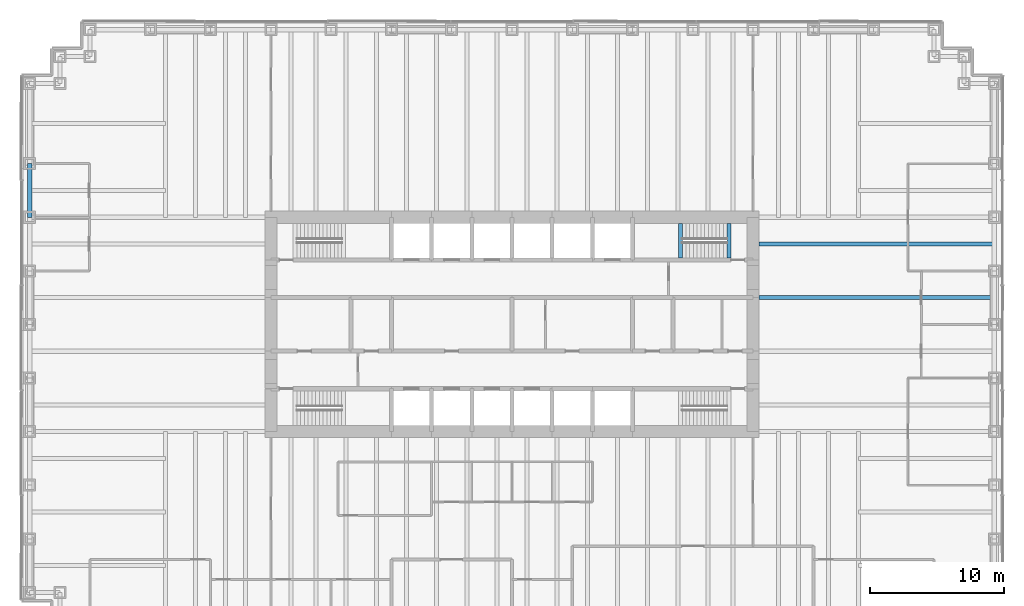
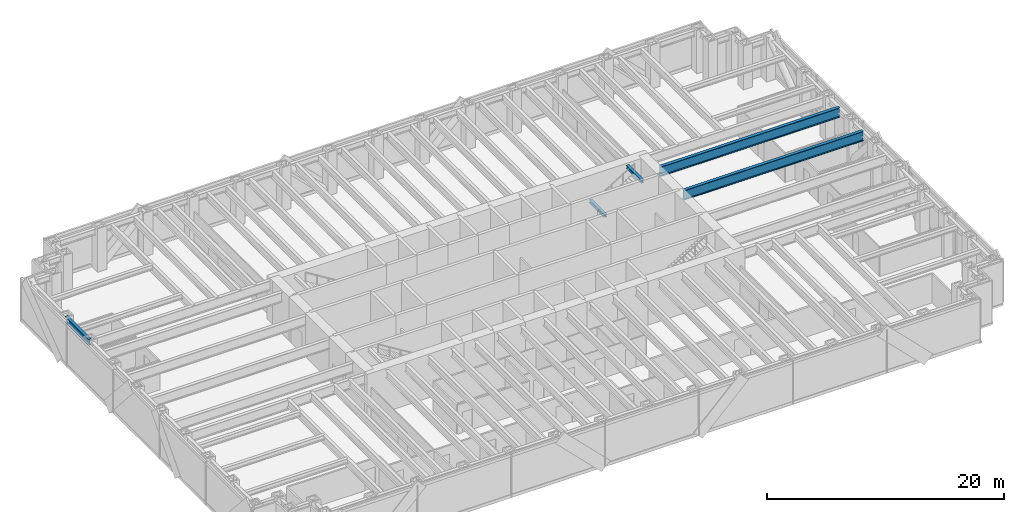
# One storey, part 4 of 13: 5 beams.
"""IFC4 building model written with IfcOpenShell, lengths in metres."""

from ifc_helpers import new_model, si_unit, direction, frame, origin, origin_2d, place, context, subcontext, project, spatial, i_section, extrude, material, material_profile, profile_set, type_object, element, save


model = new_model("IFC4")

# Units and contexts
model_context = context("Model", 3, precision=1e-05, world=origin(), true_north=direction((0.0, 1.0)))
body_context = subcontext(model_context, "Body", "Model", "MODEL_VIEW")
ifc_project = project(units=[si_unit("LENGTHUNIT", "METRE"), si_unit("AREAUNIT", "SQUARE_METRE"), si_unit("VOLUMEUNIT", "CUBIC_METRE"), si_unit("PLANEANGLEUNIT", "RADIAN"), si_unit("MASSUNIT", "GRAM", prefix="KILO")], contexts=[model_context])

# Site, building, storey
site_placement = place(None, origin())
site = spatial("IfcSite", under=ifc_project, at=site_placement, CompositionType="ELEMENT")
building_placement = place(site_placement, origin())
building = spatial("IfcBuilding", under=site, at=building_placement, Name="Rheinbord Bourse Tower", CompositionType="ELEMENT")
storey_placement = place(building_placement, frame((0.0, 0.0, 36.5)))
storey = spatial("IfcBuildingStorey", under=building, at=storey_placement, Name="L07", CompositionType="ELEMENT", Elevation=36.5)

# Beams
ifc_material_1 = material(Name="Steel S460", Category="steel")
ifc_material_profile_1 = material_profile(ifc_material_1, i_section(OverallWidth=0.302001953125, OverallDepth=1.008056640625, WebThickness=0.02099609375, FlangeThickness=0.0400390625, at=origin_2d()), Name="HEM 1000")
ifc_profile_set_1 = profile_set([ifc_material_profile_1], Name="Steel S460")
beam_type_1 = type_object("IfcBeamType", Name="END BEAM HEM 1000", PredefinedType="BEAM", material=ifc_profile_set_1)
for number, where, z_axis, x_axis, name in (
    (1, (54.449951171875, 26.0, 3.81591796875), (1.0, 0.0, 0.0), (0.0, 1.0, 0.0), "End beam east 26 L08"),
    (2, (54.449951171875, 30.0, 3.81591796875), (1.0, 0.0, 0.0), (0.0, 1.0, 0.0), "End beam east 30 L08"),
):
    element("IfcBeam", number, at=place(storey_placement, frame(where, z_axis=z_axis, x_axis=x_axis)), inside=storey, type_object=beam_type_1, Name=name, PredefinedType="BEAM", context=body_context, shape_type="SweptSolid", body=[
        extrude(i_section(OverallWidth=0.302001953125, OverallDepth=1.008056640625, WebThickness=0.02099609375, FlangeThickness=0.0400390625, at=origin_2d()), origin(), (0.0, 0.0, 1.0), 17.550048828125),
    ])
ifc_material_2 = material(Name="Steel S460", Category="steel")
ifc_material_profile_2 = material_profile(ifc_material_2, i_section(OverallWidth=0.300048828125, OverallDepth=0.300048828125, WebThickness=0.010986328125, FlangeThickness=0.01904296875, at=origin_2d()), Name="HEB 300")
ifc_profile_set_2 = profile_set([ifc_material_profile_2], Name="Steel S460")
beam_type_2 = type_object("IfcBeamType", Name="LANDING TRIMMER HEB 300", PredefinedType="BEAM", material=ifc_profile_set_2)
for number, where, z_axis, x_axis, name in (
    (3, (48.590087890625, 28.949951171875, 1.89990234375), (0.0, 1.0, 0.0), (-1.0, 0.0, 0.0), "Landing trimmer ST4 L07"),
    (4, (52.199951171875, 28.949951171875, 4.169921875), (0.0, 1.0, 0.0), (-1.0, 0.0, 0.0), "Well trimmer ST4 under L08"),
):
    element("IfcBeam", number, at=place(storey_placement, frame(where, z_axis=z_axis, x_axis=x_axis)), inside=storey, type_object=beam_type_2, Name=name, PredefinedType="BEAM", context=body_context, shape_type="SweptSolid", body=[
        extrude(i_section(OverallWidth=0.300048828125, OverallDepth=0.300048828125, WebThickness=0.010986328125, FlangeThickness=0.01904296875, at=origin_2d()), origin(), (0.0, 0.0, 1.0), 2.60009765625),
    ])
ifc_material_3 = material(Name="Steel S460", Category="steel")
ifc_material_profile_3 = material_profile(ifc_material_3, i_section(OverallWidth=0.304931640625, OverallDepth=0.6201171875, WebThickness=0.02099609375, FlangeThickness=0.0400390625, at=origin_2d()), Name="HEM 600")
ifc_profile_set_3 = profile_set([ifc_material_profile_3], Name="Steel S460")
beam_type_3 = type_object("IfcBeamType", Name="SPANDREL HEM 600", PredefinedType="SPANDREL", material=ifc_profile_set_3)
beam_placement = place(storey_placement, frame((0.0, 36.0, 4.010009765625), z_axis=(0.0, -1.0, 0.0), x_axis=(1.0, 0.0, 0.0)))
element("IfcBeam", 5, at=beam_placement, inside=storey, type_object=beam_type_3, Name="Spandrel W-36-W-32 under L08", PredefinedType="SPANDREL", context=body_context, shape_type="SweptSolid", body=[
    extrude(i_section(OverallWidth=0.304931640625, OverallDepth=0.6201171875, WebThickness=0.02099609375, FlangeThickness=0.0400390625, at=origin_2d()), origin(), (0.0, 0.0, 1.0), 4.0),
])

save(model, "model.ifc")
